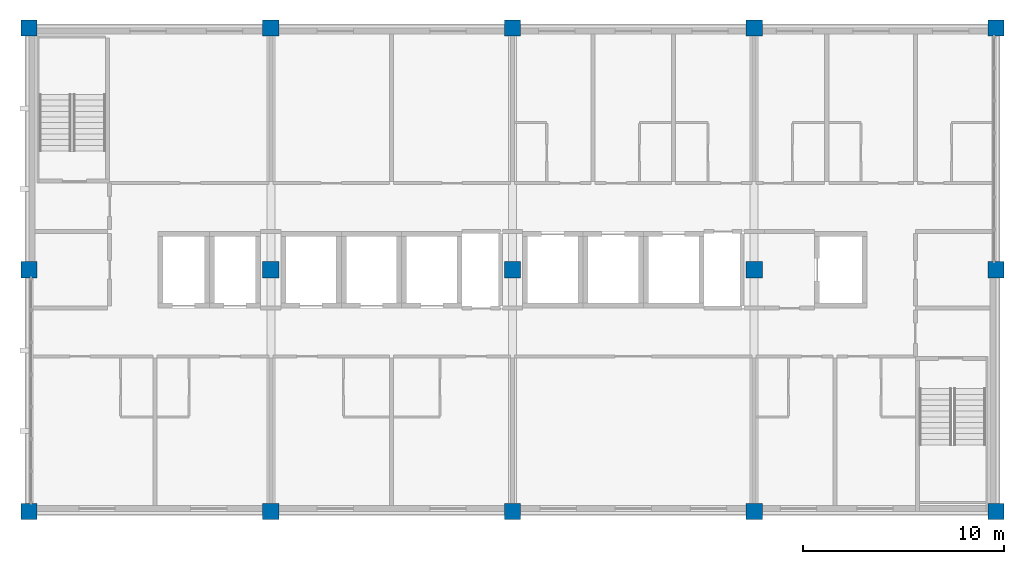
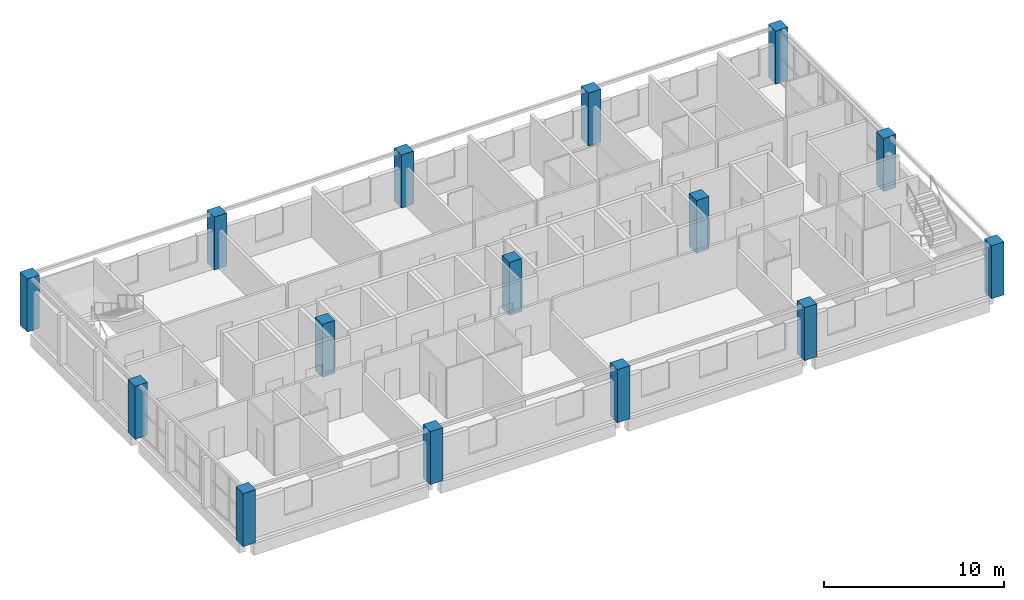
# One storey, part 1 of 11: 15 columns.
"""IFC4 building model written with IfcOpenShell, lengths in metres."""

from ifc_helpers import new_model, si_unit, direction, frame, origin, origin_2d, place, context, subcontext, project, spatial, rectangle, extrude, material, material_profile, profile_set, type_object, element, save


model = new_model("IFC4")

# Units and contexts
model_context = context("Model", 3, precision=1e-05, world=origin(), true_north=direction((0.0, 1.0)))
body_context = subcontext(model_context, "Body", "Model", "MODEL_VIEW")
ifc_project = project(units=[si_unit("LENGTHUNIT", "METRE"), si_unit("AREAUNIT", "SQUARE_METRE"), si_unit("VOLUMEUNIT", "CUBIC_METRE"), si_unit("PLANEANGLEUNIT", "RADIAN"), si_unit("MASSUNIT", "GRAM", prefix="KILO")], contexts=[model_context])

# Site, building, storey
site_placement = place(None, origin())
site = spatial("IfcSite", under=ifc_project, at=site_placement, CompositionType="ELEMENT")
building_placement = place(site_placement, origin())
building = spatial("IfcBuilding", under=site, at=building_placement, Name="Lilac Gate Convention Centre", CompositionType="ELEMENT")
storey_placement = place(building_placement, frame((0.0, 0.0, 39.0)))
storey = spatial("IfcBuildingStorey", under=building, at=storey_placement, Name="L09", CompositionType="ELEMENT", Elevation=39.0)

# Columns
ifc_material = material(Name="Concrete C40", Category="concrete")
ifc_material_profile = material_profile(ifc_material, rectangle(XDim=0.800048828125, YDim=0.800048828125, at=origin_2d()), Name="RC 800x800")
ifc_profile_set = profile_set([ifc_material_profile], Name="Concrete C40")
column_type = type_object("IfcColumnType", Name="RC tower column 800x800 C40", PredefinedType="COLUMN", material=ifc_profile_set)
for number, where, z_axis, x_axis, name in (
    (1, (42.0, 222.0, 0.0), (0.0, 0.0, 1.0), (1.0, 0.0, 0.0), "C6 L09 at 4/S"),
    (2, (42.0, 234.0, 0.0), (0.0, 0.0, 1.0), (1.0, 0.0, 0.0), "C6 L09 at 4/T"),
    (3, (42.0, 246.0, 0.0), (0.0, 0.0, 1.0), (1.0, 0.0, 0.0), "C6 L09 at 4/U"),
    (4, (54.0, 222.0, 0.0), (0.0, 0.0, 1.0), (1.0, 0.0, 0.0), "C6 L09 at 5/S"),
    (5, (54.0, 234.0, 0.0), (0.0, 0.0, 1.0), (1.0, 0.0, 0.0), "C6 L09 at 5/T"),
    (6, (54.0, 246.0, 0.0), (0.0, 0.0, 1.0), (1.0, 0.0, 0.0), "C6 L09 at 5/U"),
    (7, (66.0, 222.0, 0.0), (0.0, 0.0, 1.0), (1.0, 0.0, 0.0), "C6 L09 at 6/S"),
    (8, (66.0, 234.0, 0.0), (0.0, 0.0, 1.0), (1.0, 0.0, 0.0), "C6 L09 at 6/T"),
    (9, (66.0, 246.0, 0.0), (0.0, 0.0, 1.0), (1.0, 0.0, 0.0), "C6 L09 at 6/U"),
    (10, (78.0, 222.0, 0.0), (0.0, 0.0, 1.0), (1.0, 0.0, 0.0), "C6 L09 at 7/S"),
    (11, (78.0, 234.0, 0.0), (0.0, 0.0, 1.0), (1.0, 0.0, 0.0), "C6 L09 at 7/T"),
    (12, (78.0, 246.0, 0.0), (0.0, 0.0, 1.0), (1.0, 0.0, 0.0), "C6 L09 at 7/U"),
    (13, (90.0, 222.0, 0.0), (0.0, 0.0, 1.0), (1.0, 0.0, 0.0), "C6 L09 at 8/S"),
    (14, (90.0, 234.0, 0.0), (0.0, 0.0, 1.0), (1.0, 0.0, 0.0), "C6 L09 at 8/T"),
    (15, (90.0, 246.0, 0.0), (0.0, 0.0, 1.0), (1.0, 0.0, 0.0), "C6 L09 at 8/U"),
):
    element("IfcColumn", number, at=place(storey_placement, frame(where, z_axis=z_axis, x_axis=x_axis)), inside=storey, type_object=column_type, Name=name, PredefinedType="COLUMN", context=body_context, shape_type="SweptSolid", body=[
        extrude(rectangle(XDim=0.800048828125, YDim=0.800048828125, at=origin_2d()), origin(), (0.0, 0.0, 1.0), 3.60009765625),
    ])

save(model, "model.ifc")
